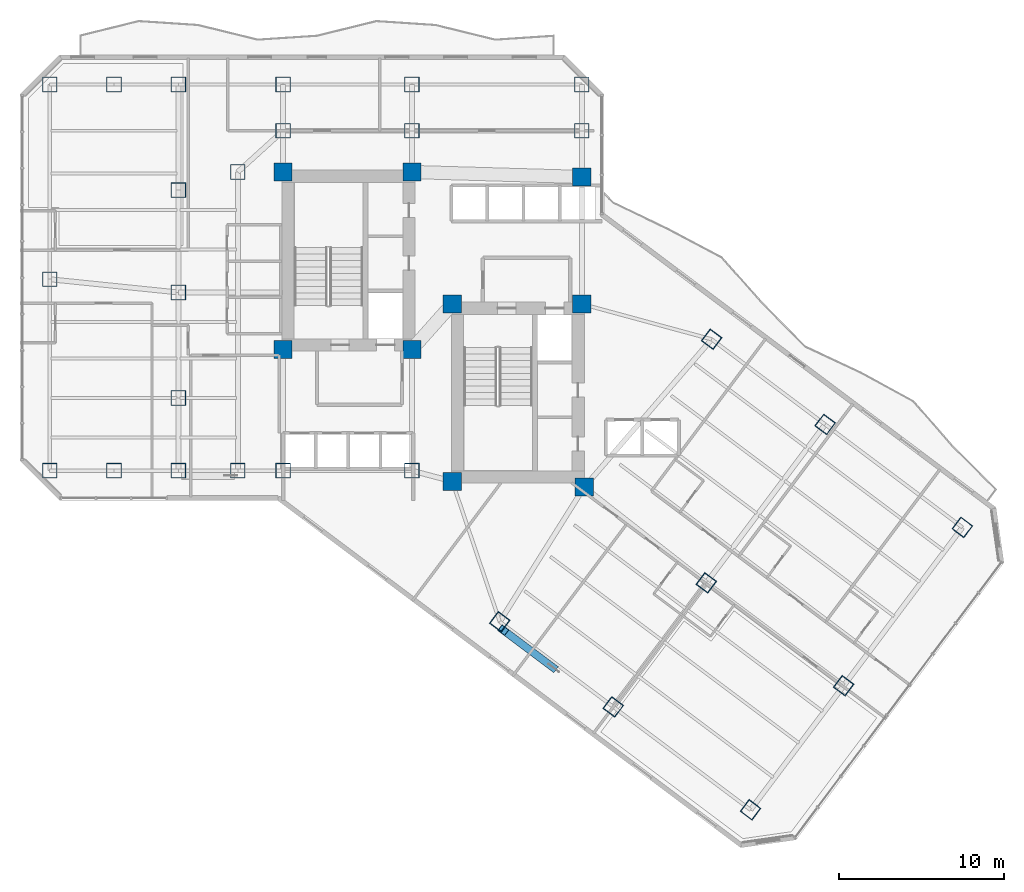
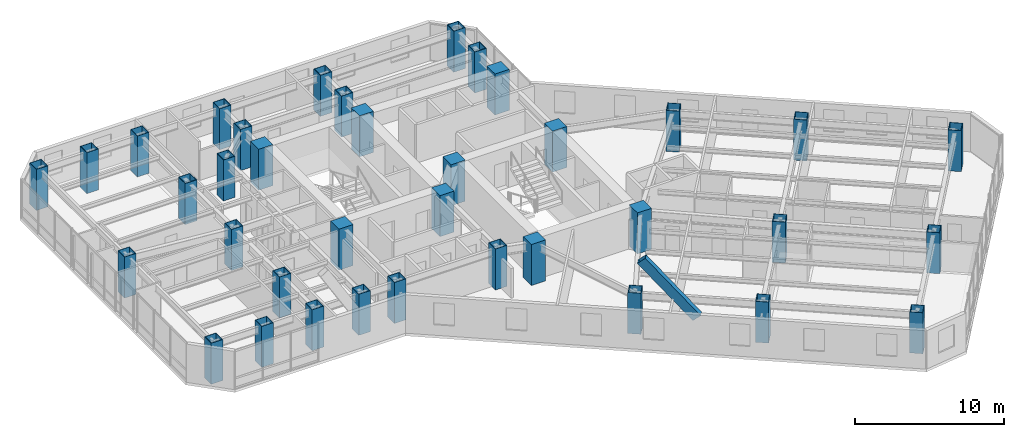
# One storey, part 1 of 31: 37 columns, 1 member.
"""IFC4 building model written with IfcOpenShell, lengths in metres."""

import ifcopenshell
import ifcopenshell.guid

model = None  # the IFC model being written
_history = None  # IfcOwnerHistory: only IFC2X3 demands one
_inside = {}  # id of a spatial element -> (the spatial element, [elements in it])
_under = {}  # id of a project, library or spatial element -> (it, [spatial elements below it])
_declared = {}  # id of a project -> (the project, [libraries it declares])
_typed = {}  # id of a type object -> (the type object, [elements of that type])
_made_of = {}  # id of a material, layer set ... -> (it, [elements and type objects made of it])


def new_model(schema):
    """Start an empty IFC model of exactly this schema.

    Asked for "IFC4X3", IfcOpenShell would pick the latest addendum, in which some entities
    have other attributes; the version numbers below select the first issue.
    IFC2X3 requires an IfcOwnerHistory on every rooted entity: one is made here for all.
    """
    global model, _history
    if schema == "IFC4X3":
        model = ifcopenshell.file(schema_version=(4, 3, 0, 0))
    else:
        model = ifcopenshell.file(schema=schema)
    _inside.clear()
    _under.clear()
    _declared.clear()
    _typed.clear()
    _made_of.clear()
    _history = None
    if model.schema == "IFC2X3":
        org = make("IfcOrganization", Name="unknown")
        user = make(
            "IfcPersonAndOrganization",
            ThePerson=make("IfcPerson", FamilyName="unknown"),
            TheOrganization=org,
        )
        app = make(
            "IfcApplication",
            ApplicationDeveloper=org,
            Version="unknown",
            ApplicationFullName="unknown",
            ApplicationIdentifier="unknown",
        )
        _history = make(
            "IfcOwnerHistory",
            OwningUser=user,
            OwningApplication=app,
            ChangeAction="ADDED",
            CreationDate=0,
        )
    return model


def make(cls, **values):
    """One entity of the class cls with the attributes given. An attribute that is None is left unset."""
    return model.create_entity(
        cls, **{name: value for name, value in values.items() if value is not None}
    )


def rooted(cls, **values):
    """An entity with a GlobalId (a new one), such as an element, a storey or a relation."""
    return make(cls, GlobalId=ifcopenshell.guid.new(), OwnerHistory=_history, **values)


def si_unit(unit_type, name, prefix=None):
    """IfcSIUnit, for example si_unit("LENGTHUNIT", "METRE", prefix="MILLI")."""
    return make("IfcSIUnit", UnitType=unit_type, Prefix=prefix, Name=name)


def assignment(units):
    """IfcUnitAssignment: the units of a project."""
    return None if units is None else make("IfcUnitAssignment", Units=units)


def point(xyz):
    """IfcCartesianPoint."""
    return None if xyz is None else make("IfcCartesianPoint", Coordinates=xyz)


def direction(xyz):
    """IfcDirection."""
    return None if xyz is None else make("IfcDirection", DirectionRatios=xyz)


def frame(location, z_axis=None, x_axis=None):
    """IfcAxis2Placement3D, a coordinate frame: its origin and axes. An axis left out is left unset."""
    return make(
        "IfcAxis2Placement3D",
        Location=point(location),
        Axis=direction(z_axis),
        RefDirection=direction(x_axis),
    )


def frame_2d(location, x_axis=None):
    """IfcAxis2Placement2D, a coordinate frame in the plane: its origin and x axis."""
    return make(
        "IfcAxis2Placement2D", Location=point(location), RefDirection=direction(x_axis)
    )


def origin():
    """The frame at (0, 0, 0) with its axes left unset."""
    return frame((0.0, 0.0, 0.0))


def origin_2d():
    """The frame at (0, 0) in the plane with its x axis left unset."""
    return frame_2d((0.0, 0.0))


def place(relative_to, where):
    """IfcLocalPlacement: puts the frame where relative to a parent placement (None: the world)."""
    return make(
        "IfcLocalPlacement", PlacementRelTo=relative_to, RelativePlacement=where
    )


def context(
    kind, dimensions, precision=None, world=None, true_north=None, identifier=None
):
    """IfcGeometricRepresentationContext, for example the 3D "Model" context."""
    return make(
        "IfcGeometricRepresentationContext",
        ContextIdentifier=identifier,
        ContextType=kind,
        CoordinateSpaceDimension=dimensions,
        Precision=precision,
        WorldCoordinateSystem=world,
        TrueNorth=true_north,
    )


def subcontext(parent, identifier, kind, view, scale=None):
    """IfcGeometricRepresentationSubContext, for example "Body" below "Model"."""
    return make(
        "IfcGeometricRepresentationSubContext",
        ContextIdentifier=identifier,
        ContextType=kind,
        ParentContext=parent,
        TargetScale=scale,
        TargetView=view,
    )


def project(units=None, contexts=None):
    """IfcProject with its units and contexts."""
    return rooted(
        "IfcProject",
        Name="project",
        RepresentationContexts=contexts,
        UnitsInContext=assignment(units),
    )


def spatial(cls, under=None, at=None, **own):
    """A site, building, storey or space (cls), placed at a placement, below another one or the project."""
    s = rooted(cls, ObjectPlacement=at, **own)
    if under is not None:
        _under.setdefault(under.id(), (under, []))[1].append(s)
    return s


def profile(cls, at=None, kind="AREA", **sizes):
    """A parametric profile (cls). Its sizes go by their IFC names, for example OverallWidth=200.0."""
    return make(cls, ProfileType=kind, Position=at, **sizes)


def rectangle(**sizes):
    """IfcRectangleProfileDef."""
    return profile("IfcRectangleProfileDef", **sizes)


def hollow_rectangle(**sizes):
    """IfcRectangleHollowProfileDef."""
    return profile("IfcRectangleHollowProfileDef", **sizes)


def extrude(swept, where, along, depth):
    """IfcExtrudedAreaSolid: the profile swept, set in the frame where, extruded along a direction by depth."""
    return make(
        "IfcExtrudedAreaSolid",
        SweptArea=swept,
        Position=where,
        ExtrudedDirection=direction(along),
        Depth=depth,
    )


def shape(context_of_items, identifier, shape_type, items):
    """IfcShapeRepresentation: the items that make up one representation, for example the "Body"."""
    return make(
        "IfcShapeRepresentation",
        ContextOfItems=context_of_items,
        RepresentationIdentifier=identifier,
        RepresentationType=shape_type,
        Items=items,
    )


def material(Name=None, Category=None):
    """IfcMaterial."""
    return make("IfcMaterial", Name=Name, Category=Category)


def material_profile(
    of_material, cross_section, Name=None, Category=None, Priority=None
):
    """IfcMaterialProfile: a cross section and its material."""
    return make(
        "IfcMaterialProfile",
        Name=Name,
        Material=of_material,
        Profile=cross_section,
        Priority=Priority,
        Category=Category,
    )


def profile_set(profiles, Name=None, composite=None):
    """IfcMaterialProfileSet."""
    return make(
        "IfcMaterialProfileSet",
        Name=Name,
        MaterialProfiles=profiles,
        CompositeProfile=composite,
    )


def made_of(thing, what):
    """Note that an element or type object is made of a material, layer set ...; save() writes the relation."""
    if what is not None:
        _made_of.setdefault(what.id(), (what, []))[1].append(thing)
    return thing


def type_object(cls, material=None, **own):
    """A type object (cls), such as IfcWallType, which elements share."""
    return made_of(rooted(cls, **own), material)


def element(
    cls,
    number,
    at=None,
    inside=None,
    cuts=None,
    type_object=None,
    material=None,
    context=None,
    identifier="Body",
    shape_type=None,
    held_by="IfcProductDefinitionShape",
    body=None,
    shapes=None,
    **own,
):
    """One element of the class cls, such as IfcWall. Its Tag is "e" and its number.

    at: its placement. inside: the storey or other place that contains it. cuts: it is an
    opening in that element (IfcRelVoidsElement). A single representation is given by context,
    identifier, shape_type and body (its items); several are given by shapes. held_by: the class
    of the entity that holds the representations. save() writes the other relations.
    """
    e = rooted(cls, Tag="e%d" % number, ObjectPlacement=at, **own)
    if body is not None:
        shapes = [shape(context, identifier, shape_type, body)]
    if shapes is not None:
        e.Representation = make(held_by, Representations=shapes)
    if inside is not None:
        _inside.setdefault(inside.id(), (inside, []))[1].append(e)
    if cuts is not None:
        rooted(
            "IfcRelVoidsElement", RelatingBuildingElement=cuts, RelatedOpeningElement=e
        )
    if type_object is not None:
        _typed.setdefault(type_object.id(), (type_object, []))[1].append(e)
    return made_of(e, material)


def aggregate(whole, parts):
    """IfcRelAggregates: a whole, such as a stair, and the parts it consists of."""
    return rooted("IfcRelAggregates", RelatingObject=whole, RelatedObjects=parts)


def save(model, path):
    """Write the relations noted so far, then the file.

    IfcRelAggregates (storeys below a building ...), IfcRelContainedInSpatialStructure (elements
    in a storey), IfcRelDefinesByType, IfcRelAssociatesMaterial and IfcRelDeclares: one each for
    every whole, place, type object, material and project.
    """
    for whole, parts in _under.values():
        aggregate(whole, parts)
    for where, things in _inside.values():
        rooted(
            "IfcRelContainedInSpatialStructure",
            RelatedElements=things,
            RelatingStructure=where,
        )
    for kind, things in _typed.values():
        rooted("IfcRelDefinesByType", RelatedObjects=things, RelatingType=kind)
    for what, things in _made_of.values():
        rooted("IfcRelAssociatesMaterial", RelatedObjects=things, RelatingMaterial=what)
    for by, libraries in _declared.values():
        rooted("IfcRelDeclares", RelatingContext=by, RelatedDefinitions=libraries)
    model.write(path)


model = new_model("IFC4")

# Units and contexts
model_context = context("Model", 3, precision=1e-05, world=origin(), true_north=direction((0.0, 1.0)))
body_context = subcontext(model_context, "Body", "Model", "MODEL_VIEW")
ifc_project = project(units=[si_unit("LENGTHUNIT", "METRE"), si_unit("AREAUNIT", "SQUARE_METRE"), si_unit("VOLUMEUNIT", "CUBIC_METRE"), si_unit("PLANEANGLEUNIT", "RADIAN"), si_unit("MASSUNIT", "GRAM", prefix="KILO")], contexts=[model_context])

# Site, building, storey
site_placement = place(None, origin())
site = spatial("IfcSite", under=ifc_project, at=site_placement, CompositionType="ELEMENT")
building_placement = place(site_placement, origin())
building = spatial("IfcBuilding", under=site, at=building_placement, Name="Hatsunagi Terrace Concourse", CompositionType="ELEMENT")
storey_placement = place(building_placement, frame((0.0, 0.0, 77.949951171875)))
storey = spatial("IfcBuildingStorey", under=building, at=storey_placement, Name="L20", CompositionType="ELEMENT", Elevation=77.949951171875)

# Columns
ifc_material_1 = material(Name="Concrete Fc60", Category="concrete")
ifc_material_profile_1 = material_profile(ifc_material_1, rectangle(XDim=1.10009765625, YDim=1.10009765625, at=origin_2d()), Name="RC-1100x1100")
ifc_profile_set_1 = profile_set([ifc_material_profile_1], Name="Concrete Fc60")
column_type_1 = type_object("IfcColumnType", Name="CoreColumn_RC_1100x1100", PredefinedType="COLUMN", material=ifc_profile_set_1)
for number, where, z_axis, x_axis, name in (
    (1, (25.550048828125, 32.550048828125, 0.0), (0.0, 0.0, 1.0), (1.0, 0.0, 0.0), "Column C-01 L20-CASW"),
    (2, (33.35009765625, 32.550048828125, 0.0), (0.0, 0.0, 1.0), (1.0, 0.0, 0.0), "Column C-01 L20-CASE"),
    (3, (25.550048828125, 43.300048828125, 0.0), (0.0, 0.0, 1.0), (1.0, 0.0, 0.0), "Column C-01 L20-CANW"),
    (4, (33.35009765625, 43.300048828125, 0.0), (0.0, 0.0, 1.0), (1.0, 0.0, 0.0), "Column C-01 L20-CANE"),
    (5, (35.800048828125, 24.550048828125, 0.0), (0.0, 0.0, 1.0), (1.0, 0.0, 0.0), "Column C-01 L20-CBSW"),
    (6, (43.800048828125, 24.199951171875, 0.0), (0.0, 0.0, 1.0), (1.0, 0.0, 0.0), "Column C-01 L20-CBSE"),
    (7, (35.800048828125, 35.300048828125, 0.0), (0.0, 0.0, 1.0), (1.0, 0.0, 0.0), "Column C-01 L20-CBNW"),
    (8, (43.64990234375, 35.300048828125, 0.0), (0.0, 0.0, 1.0), (1.0, 0.0, 0.0), "Column C-01 L20-CBNE"),
    (9, (43.64990234375, 43.0, 0.0), (0.0, 0.0, 1.0), (1.0, 0.0, 0.0), "Column C-01 L20-K3"),
):
    element("IfcColumn", number, at=place(storey_placement, frame(where, z_axis=z_axis, x_axis=x_axis)), inside=storey, type_object=column_type_1, Name=name, PredefinedType="COLUMN", context=body_context, shape_type="SweptSolid", body=[
        extrude(rectangle(XDim=1.10009765625, YDim=1.10009765625, at=origin_2d()), origin(), (0.0, 0.0, 1.0), 3.35009765625),
    ])
ifc_material_2 = material(Name="Steel BCP325T", Category="steel")
ifc_material_profile_2 = material_profile(ifc_material_2, hollow_rectangle(XDim=0.89990234375, YDim=0.89990234375, WallThickness=0.035888671875, at=origin_2d()), Name="BCP-900x900x36")
ifc_profile_set_2 = profile_set([ifc_material_profile_2], Name="Steel BCP325T")
column_type_2 = type_object("IfcColumnType", Name="TowerBoxColumn_900x900x36", PredefinedType="COLUMN", material=ifc_profile_set_2)
for number, where, z_axis, x_axis, name in (
    (10, (25.550048828125, 25.199951171875, 0.0), (0.0, 0.0, 1.0), (1.0, 0.0, 0.0), "Column C-04 L20-K1"),
    (11, (33.35009765625, 25.199951171875, 0.0), (0.0, 0.0, 1.0), (1.0, 0.0, 0.0), "Column C-04 L20-K2"),
    (12, (25.550048828125, 45.800048828125, 0.0), (0.0, 0.0, 1.0), (1.0, 0.0, 0.0), "Column C-04 L20-CN1"),
    (13, (33.35009765625, 45.800048828125, 0.0), (0.0, 0.0, 1.0), (1.0, 0.0, 0.0), "Column C-04 L20-CN2"),
    (14, (43.64990234375, 45.800048828125, 0.0), (0.0, 0.0, 1.0), (1.0, 0.0, 0.0), "Column C-04 L20-CN3"),
    (15, (11.39990234375, 25.199951171875, 0.0), (0.0, 0.0, 1.0), (1.0, 0.0, 0.0), "Column C-04 L20-WS2"),
    (16, (11.39990234375, 48.60009765625, 0.0), (0.0, 0.0, 1.0), (1.0, 0.0, 0.0), "Column C-04 L20-WN2"),
    (17, (19.199951171875, 48.60009765625, 0.0), (0.0, 0.0, 1.0), (1.0, 0.0, 0.0), "Column C-04 L20-WN3"),
    (18, (25.550048828125, 48.60009765625, 0.0), (0.0, 0.0, 1.0), (1.0, 0.0, 0.0), "Column C-04 L20-WN4"),
    (19, (33.35009765625, 48.60009765625, 0.0), (0.0, 0.0, 1.0), (1.0, 0.0, 0.0), "Column C-04 L20-WN5"),
    (20, (43.64990234375, 48.60009765625, 0.0), (0.0, 0.0, 1.0), (1.0, 0.0, 0.0), "Column C-04 L20-WN6"),
    (21, (19.199951171875, 25.199951171875, 0.0), (0.0, 0.0, 1.0), (1.0, 0.0, 0.0), "Column C-04 L20-WS3"),
    (22, (19.199951171875, 29.60009765625, 0.0), (0.0, 0.0, 1.0), (1.0, 0.0, 0.0), "Column C-04 L20-WR1"),
    (23, (19.199951171875, 42.199951171875, 0.0), (0.0, 0.0, 1.0), (1.0, 0.0, 0.0), "Column C-04 L20-WR2"),
    (24, (22.800048828125, 25.199951171875, 0.0), (0.0, 0.0, 1.0), (1.0, 0.0, 0.0), "Column C-04 L20-CW1"),
    (25, (22.800048828125, 43.300048828125, 0.0), (0.0, 0.0, 1.0), (1.0, 0.0, 0.0), "Column C-04 L20-CW2"),
    (26, (11.39990234375, 36.800048828125, 0.0), (0.0, 0.0, 1.0), (1.0, 0.0, 0.0), "Column C-04 L20-WT1"),
    (27, (19.199951171875, 36.0, 0.0), (0.0, 0.0, 1.0), (1.0, 0.0, 0.0), "Column C-04 L20-WT2"),
    (28, (15.300048828125, 25.199951171875, 0.0), (0.0, 0.0, 1.0), (1.0, 0.0, 0.0), "Column C-04 L20-WT3"),
    (29, (15.300048828125, 48.60009765625, 0.0), (0.0, 0.0, 1.0), (1.0, 0.0, 0.0), "Column C-04 L20-WT4"),
    (30, (38.679931640625, 16.0400390625, 0.0), (0.0, 0.0, 1.0), (0.799999996291, -0.600000004945, 0.0), "Column C-04 L20-SES1"),
    (31, (51.52001953125, 33.159912109375, 0.0), (0.0, 0.0, 1.0), (0.799999996291, -0.600000004945, 0.0), "Column C-04 L20-SEN1"),
    (32, (45.56005859375, 10.8798828125, 0.0), (0.0, 0.0, 1.0), (0.799999996291, -0.600000004945, 0.0), "Column C-04 L20-SES2"),
    (33, (58.39990234375, 28.0, 0.0), (0.0, 0.0, 1.0), (0.799999996291, -0.600000004945, 0.0), "Column C-04 L20-SEN2"),
    (34, (51.199951171875, 18.39990234375, 0.0), (0.0, 0.0, 1.0), (0.799999996291, -0.600000004945, 0.0), "Column C-04 L20-SEM2"),
    (35, (53.8798828125, 4.639892578125, 0.0), (0.0, 0.0, 1.0), (0.799999996291, -0.600000004945, 0.0), "Column C-04 L20-SES3"),
    (36, (66.719970703125, 21.760009765625, 0.0), (0.0, 0.0, 1.0), (0.799999996291, -0.600000004945, 0.0), "Column C-04 L20-SEN3"),
    (37, (59.52001953125, 12.159912109375, 0.0), (0.0, 0.0, 1.0), (0.799999996291, -0.600000004945, 0.0), "Column C-04 L20-SEM3"),
):
    element("IfcColumn", number, at=place(storey_placement, frame(where, z_axis=z_axis, x_axis=x_axis)), inside=storey, type_object=column_type_2, Name=name, PredefinedType="COLUMN", context=body_context, shape_type="SweptSolid", body=[
        extrude(hollow_rectangle(XDim=0.89990234375, YDim=0.89990234375, WallThickness=0.035888671875, at=origin_2d()), origin(), (0.0, 0.0, 1.0), 3.35009765625),
    ])

# Member
ifc_material_3 = material(Name="Steel SN490B", Category="steel")
ifc_material_profile_3 = material_profile(ifc_material_3, hollow_rectangle(XDim=0.449951171875, YDim=0.699951171875, WallThickness=0.028076171875, at=origin_2d()), Name="RHS-700x450x28")
ifc_profile_set_3 = profile_set([ifc_material_profile_3], Name="Steel SN490B")
member_type = type_object("IfcMemberType", Name="PerimeterXBrace_Lower_RHS_700x450x28", PredefinedType="BRACE", material=ifc_profile_set_3)
member_placement = place(storey_placement, frame((38.89208984375, 15.531005859375, 6.0400390625), z_axis=(0.519734200659, -0.38977940911, -0.760229158149), x_axis=(0.599979074094, 0.800015694002, 0.0)))
element("IfcMember", 38, at=member_placement, inside=storey, type_object=member_type, Name="Perimeter X-Brace Split Upper XB-01 XB-L19-SEB1", PredefinedType="BRACE", context=body_context, shape_type="SweptSolid", body=[
    extrude(hollow_rectangle(XDim=0.449951171875, YDim=0.699951171875, WallThickness=0.028076171875, at=origin_2d()), origin(), (0.0, 0.0, 1.0), 5.746826171875),
])

save(model, "model.ifc")
